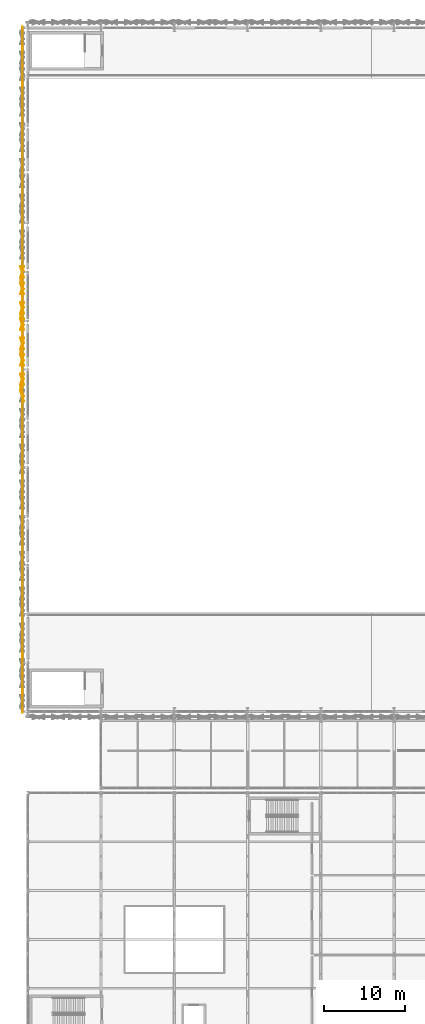
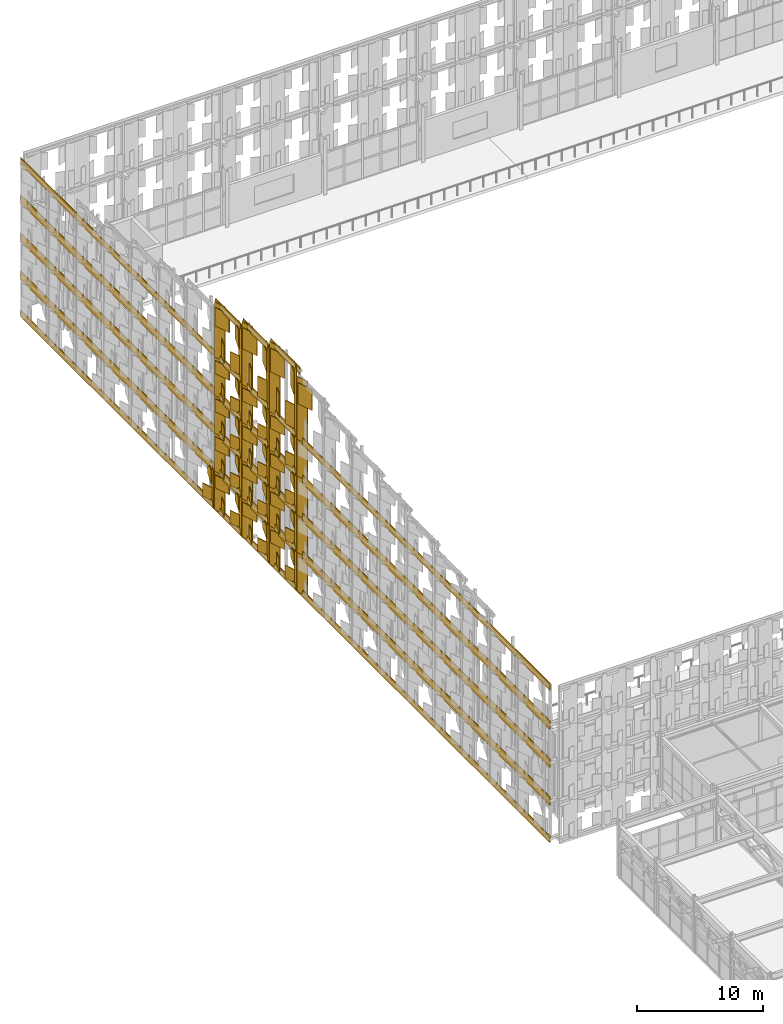
# One storey, part 192 of 210: 107 coverings.
"""IFC4 building model written with IfcOpenShell, lengths in metres."""

from ifc_helpers import new_model, si_unit, direction, frame, origin, origin_2d, place, context, subcontext, project, spatial, rectangle, extrude, material, layer, layer_set, type_object, element, save


model = new_model("IFC4")

# Units and contexts
model_context = context("Model", 3, precision=1e-05, world=origin(), true_north=direction((0.0, 1.0)))
body_context = subcontext(model_context, "Body", "Model", "MODEL_VIEW")
ifc_project = project(units=[si_unit("LENGTHUNIT", "METRE"), si_unit("AREAUNIT", "SQUARE_METRE"), si_unit("VOLUMEUNIT", "CUBIC_METRE"), si_unit("PLANEANGLEUNIT", "RADIAN"), si_unit("MASSUNIT", "GRAM", prefix="KILO")], contexts=[model_context])

# Site, building, storey
site_placement = place(None, origin())
site = spatial("IfcSite", under=ifc_project, at=site_placement, CompositionType="ELEMENT")
building_placement = place(site_placement, origin())
building = spatial("IfcBuilding", under=site, at=building_placement, Name="Kaldris Quays Convention Centre", CompositionType="ELEMENT")
storey_placement = place(building_placement, frame((0.0, 0.0, 6.0)))
storey = spatial("IfcBuildingStorey", under=building, at=storey_placement, Name="L01", CompositionType="ELEMENT", Elevation=6.0)

# Coverings
ifc_material = material(Name="Alabaster white star-pierced anodized aluminium panel", Category="aluminium")
ifc_layer = layer(ifc_material, 0.044921875)
ifc_layer_set = layer_set([ifc_layer], Name="Alabaster white star-pierced anodized aluminium panel")
covering_type = type_object("IfcCoveringType", Name="STAR PIERCED WHITE FOLDED SCREEN CL01", PredefinedType="CLADDING", material=ifc_layer_set)
covering_1_placement = place(storey_placement, frame((19.35009765625, 98.0, -2.48974609375), z_axis=(0.0, 0.0, 1.0), x_axis=(0.0, 1.0, 0.0)))
element("IfcCovering", 1, at=covering_1_placement, inside=storey, type_object=covering_type, Name="V1W White Screen Folded Band 1", PredefinedType="CLADDING", context=body_context, shape_type="SweptSolid", body=[
    extrude(rectangle(XDim=84.239990234375, YDim=0.054931640625, at=origin_2d()), origin(), (0.0, 0.0, 1.0), 0.679931640625),
])
for number, where, z_axis, x_axis, name in (
    (2, (19.35009765625, 98.0, 1.1298828125), (0.0, 0.0, 1.0), (0.0, 1.0, 0.0), "V1W White Screen Folded Band 2"),
    (3, (19.35009765625, 98.0, 4.830078125), (0.0, 0.0, 1.0), (0.0, 1.0, 0.0), "V1W White Screen Folded Band 3"),
    (4, (19.35009765625, 98.0, 8.52978515625), (0.0, 0.0, 1.0), (0.0, 1.0, 0.0), "V1W White Screen Folded Band 4"),
):
    element("IfcCovering", number, at=place(storey_placement, frame(where, z_axis=z_axis, x_axis=x_axis)), inside=storey, type_object=covering_type, Name=name, PredefinedType="CLADDING", context=body_context, shape_type="SweptSolid", body=[
        extrude(rectangle(XDim=84.239990234375, YDim=0.054931640625, at=origin_2d()), origin(), (0.0, 0.0, 1.0), 0.840087890625),
    ])
covering_2_placement = place(storey_placement, frame((19.35009765625, 98.0, 12.31005859375), z_axis=(0.0, 0.0, 1.0), x_axis=(0.0, 1.0, 0.0)))
element("IfcCovering", 5, at=covering_2_placement, inside=storey, type_object=covering_type, Name="V1W White Screen Folded Band 5", PredefinedType="CLADDING", context=body_context, shape_type="SweptSolid", body=[
    extrude(rectangle(XDim=84.239990234375, YDim=0.054931640625, at=origin_2d()), origin(), (0.0, 0.0, 1.0), 0.679931640625),
])
for number, where, z_axis, x_axis, name in (
    (6, (19.340087890625, 95.234619140625, -2.2099609375), (0.0, 0.0, 1.0), (-0.325568154457, 0.945518575599, 0.0), "V1W Folded White Screen Stile 242"),
    (7, (19.340087890625, 95.234619140625, 1.48974609375), (0.0, 0.0, 1.0), (-0.325568154457, 0.945518575599, 0.0), "V1W Folded White Screen Stile 248"),
    (8, (19.340087890625, 95.234619140625, 5.18994140625), (0.0, 0.0, 1.0), (-0.325568154457, 0.945518575599, 0.0), "V1W Folded White Screen Stile 254"),
    (9, (19.340087890625, 95.234619140625, 8.89013671875), (0.0, 0.0, 1.0), (-0.325568154457, 0.945518575599, 0.0), "V1W Folded White Screen Stile 260"),
):
    element("IfcCovering", number, at=place(storey_placement, frame(where, z_axis=z_axis, x_axis=x_axis)), inside=storey, type_object=covering_type, Name=name, PredefinedType="CLADDING", context=body_context, shape_type="SweptSolid", body=[
        extrude(rectangle(XDim=1.114013671875, YDim=0.054931640625, at=origin_2d()), origin(), (0.0, 0.0, 1.0), 3.820068359375),
    ])
covering_3_placement = place(storey_placement, frame((19.340087890625, 95.234619140625, 12.58984375), z_axis=(0.0, 0.0, 1.0), x_axis=(-0.325568154457, 0.945518575599, 0.0)))
element("IfcCovering", 10, at=covering_3_placement, inside=storey, type_object=covering_type, Name="V1W Folded White Screen Stile 266", PredefinedType="CLADDING", context=body_context, shape_type="SweptSolid", body=[
    extrude(rectangle(XDim=1.114013671875, YDim=0.054931640625, at=origin_2d()), origin(), (0.0, 0.0, 1.0), 6.095947265625),
])
covering_4_placement = place(storey_placement, frame((19.320068359375, 94.795654296875, 16.2353515625), z_axis=(0.0, 0.0, 1.0), x_axis=(-0.325568154457, 0.945518575599, 0.0)))
element("IfcCovering", 11, at=covering_4_placement, inside=storey, type_object=covering_type, Name="V1W Carved Star Corner Facet 270", PredefinedType="CLADDING", context=body_context, shape_type="SweptSolid", body=[
    extrude(rectangle(XDim=1.491943359375, YDim=0.06494140625, at=origin_2d()), origin(), (0.0, 0.0, 1.0), 2.031982421875),
])
covering_5_placement = place(storey_placement, frame((19.35009765625, 98.0, 18.8671875), z_axis=(0.0, 0.0, 1.0), x_axis=(0.0, 1.0, 0.0)))
element("IfcCovering", 12, at=covering_5_placement, inside=storey, type_object=covering_type, Name="V1W Gable White Screen Cap Band 271", PredefinedType="CLADDING", context=body_context, shape_type="SweptSolid", body=[
    extrude(rectangle(XDim=4.68896484375, YDim=0.054931640625, at=origin_2d()), origin(), (0.0, 0.0, 1.0), 0.679931640625),
])
for number, where, z_axis, x_axis, name in (
    (13, (19.340087890625, 96.3759765625, -2.2099609375), (0.0, 0.0, 1.0), (0.325568154457, 0.945518575599, 0.0), "V1W Folded White Screen Stile 272"),
    (14, (19.340087890625, 99.6240234375, -2.2099609375), (0.0, 0.0, 1.0), (-0.325568154457, 0.945518575599, 0.0), "V1W Folded White Screen Stile 273"),
):
    element("IfcCovering", number, at=place(storey_placement, frame(where, z_axis=z_axis, x_axis=x_axis)), inside=storey, type_object=covering_type, Name=name, PredefinedType="CLADDING", context=body_context, shape_type="SweptSolid", body=[
        extrude(rectangle(XDim=1.114013671875, YDim=0.054931640625, at=origin_2d()), origin(), (0.0, 0.0, 1.0), 3.820068359375),
    ])
for number, where, z_axis, x_axis, name in (
    (15, (19.320068359375, 96.814697265625, -1.92822265625), (0.0, 0.0, 1.0), (-0.325568154457, 0.945518575599, 0.0), "V1W Carved Star Corner Facet 274"),
    (16, (19.320068359375, 96.814697265625, 0.06982421875), (0.0, 0.0, 1.0), (0.325568154457, 0.945518575599, 0.0), "V1W Carved Star Corner Facet 275"),
    (17, (19.320068359375, 99.185302734375, -1.92822265625), (0.0, 0.0, 1.0), (0.325568154457, 0.945518575599, 0.0), "V1W Carved Star Corner Facet 276"),
    (18, (19.320068359375, 99.185302734375, 0.06982421875), (0.0, 0.0, 1.0), (-0.325568154457, 0.945518575599, 0.0), "V1W Carved Star Corner Facet 277"),
):
    element("IfcCovering", number, at=place(storey_placement, frame(where, z_axis=z_axis, x_axis=x_axis)), inside=storey, type_object=covering_type, Name=name, PredefinedType="CLADDING", context=body_context, shape_type="SweptSolid", body=[
        extrude(rectangle(XDim=1.491943359375, YDim=0.06494140625, at=origin_2d()), origin(), (0.0, 0.0, 1.0), 1.258056640625),
    ])
for number, where, z_axis, x_axis, name in (
    (19, (19.340087890625, 96.3759765625, 1.48974609375), (0.0, 0.0, 1.0), (0.325568154457, 0.945518575599, 0.0), "V1W Folded White Screen Stile 278"),
    (20, (19.340087890625, 99.6240234375, 1.48974609375), (0.0, 0.0, 1.0), (-0.325568154457, 0.945518575599, 0.0), "V1W Folded White Screen Stile 279"),
):
    element("IfcCovering", number, at=place(storey_placement, frame(where, z_axis=z_axis, x_axis=x_axis)), inside=storey, type_object=covering_type, Name=name, PredefinedType="CLADDING", context=body_context, shape_type="SweptSolid", body=[
        extrude(rectangle(XDim=1.114013671875, YDim=0.054931640625, at=origin_2d()), origin(), (0.0, 0.0, 1.0), 3.820068359375),
    ])
for number, where, z_axis, x_axis, name in (
    (21, (19.320068359375, 96.814697265625, 1.77197265625), (0.0, 0.0, 1.0), (-0.325568154457, 0.945518575599, 0.0), "V1W Carved Star Corner Facet 280"),
    (22, (19.320068359375, 96.814697265625, 3.77001953125), (0.0, 0.0, 1.0), (0.325568154457, 0.945518575599, 0.0), "V1W Carved Star Corner Facet 281"),
    (23, (19.320068359375, 99.185302734375, 1.77197265625), (0.0, 0.0, 1.0), (0.325568154457, 0.945518575599, 0.0), "V1W Carved Star Corner Facet 282"),
    (24, (19.320068359375, 99.185302734375, 3.77001953125), (0.0, 0.0, 1.0), (-0.325568154457, 0.945518575599, 0.0), "V1W Carved Star Corner Facet 283"),
):
    element("IfcCovering", number, at=place(storey_placement, frame(where, z_axis=z_axis, x_axis=x_axis)), inside=storey, type_object=covering_type, Name=name, PredefinedType="CLADDING", context=body_context, shape_type="SweptSolid", body=[
        extrude(rectangle(XDim=1.491943359375, YDim=0.06494140625, at=origin_2d()), origin(), (0.0, 0.0, 1.0), 1.258056640625),
    ])
for number, where, z_axis, x_axis, name in (
    (25, (19.340087890625, 96.3759765625, 5.18994140625), (0.0, 0.0, 1.0), (0.325568154457, 0.945518575599, 0.0), "V1W Folded White Screen Stile 284"),
    (26, (19.340087890625, 99.6240234375, 5.18994140625), (0.0, 0.0, 1.0), (-0.325568154457, 0.945518575599, 0.0), "V1W Folded White Screen Stile 285"),
):
    element("IfcCovering", number, at=place(storey_placement, frame(where, z_axis=z_axis, x_axis=x_axis)), inside=storey, type_object=covering_type, Name=name, PredefinedType="CLADDING", context=body_context, shape_type="SweptSolid", body=[
        extrude(rectangle(XDim=1.114013671875, YDim=0.054931640625, at=origin_2d()), origin(), (0.0, 0.0, 1.0), 3.820068359375),
    ])
for number, where, z_axis, x_axis, name in (
    (27, (19.320068359375, 96.814697265625, 5.47216796875), (0.0, 0.0, 1.0), (-0.325568154457, 0.945518575599, 0.0), "V1W Carved Star Corner Facet 286"),
    (28, (19.320068359375, 96.814697265625, 7.47021484375), (0.0, 0.0, 1.0), (0.325568154457, 0.945518575599, 0.0), "V1W Carved Star Corner Facet 287"),
    (29, (19.320068359375, 99.185302734375, 5.47216796875), (0.0, 0.0, 1.0), (0.325568154457, 0.945518575599, 0.0), "V1W Carved Star Corner Facet 288"),
    (30, (19.320068359375, 99.185302734375, 7.47021484375), (0.0, 0.0, 1.0), (-0.325568154457, 0.945518575599, 0.0), "V1W Carved Star Corner Facet 289"),
):
    element("IfcCovering", number, at=place(storey_placement, frame(where, z_axis=z_axis, x_axis=x_axis)), inside=storey, type_object=covering_type, Name=name, PredefinedType="CLADDING", context=body_context, shape_type="SweptSolid", body=[
        extrude(rectangle(XDim=1.491943359375, YDim=0.06494140625, at=origin_2d()), origin(), (0.0, 0.0, 1.0), 1.258056640625),
    ])
for number, where, z_axis, x_axis, name in (
    (31, (19.340087890625, 96.3759765625, 8.89013671875), (0.0, 0.0, 1.0), (0.325568154457, 0.945518575599, 0.0), "V1W Folded White Screen Stile 290"),
    (32, (19.340087890625, 99.6240234375, 8.89013671875), (0.0, 0.0, 1.0), (-0.325568154457, 0.945518575599, 0.0), "V1W Folded White Screen Stile 291"),
):
    element("IfcCovering", number, at=place(storey_placement, frame(where, z_axis=z_axis, x_axis=x_axis)), inside=storey, type_object=covering_type, Name=name, PredefinedType="CLADDING", context=body_context, shape_type="SweptSolid", body=[
        extrude(rectangle(XDim=1.114013671875, YDim=0.054931640625, at=origin_2d()), origin(), (0.0, 0.0, 1.0), 3.820068359375),
    ])
for number, where, z_axis, x_axis, name in (
    (33, (19.320068359375, 96.814697265625, 9.171875), (0.0, 0.0, 1.0), (-0.325568154457, 0.945518575599, 0.0), "V1W Carved Star Corner Facet 292"),
    (34, (19.320068359375, 96.814697265625, 11.169921875), (0.0, 0.0, 1.0), (0.325568154457, 0.945518575599, 0.0), "V1W Carved Star Corner Facet 293"),
    (35, (19.320068359375, 99.185302734375, 9.171875), (0.0, 0.0, 1.0), (0.325568154457, 0.945518575599, 0.0), "V1W Carved Star Corner Facet 294"),
    (36, (19.320068359375, 99.185302734375, 11.169921875), (0.0, 0.0, 1.0), (-0.325568154457, 0.945518575599, 0.0), "V1W Carved Star Corner Facet 295"),
):
    element("IfcCovering", number, at=place(storey_placement, frame(where, z_axis=z_axis, x_axis=x_axis)), inside=storey, type_object=covering_type, Name=name, PredefinedType="CLADDING", context=body_context, shape_type="SweptSolid", body=[
        extrude(rectangle(XDim=1.491943359375, YDim=0.06494140625, at=origin_2d()), origin(), (0.0, 0.0, 1.0), 1.258056640625),
    ])
for number, where, z_axis, x_axis, name in (
    (37, (19.340087890625, 96.3759765625, 12.58984375), (0.0, 0.0, 1.0), (0.325568154457, 0.945518575599, 0.0), "V1W Folded White Screen Stile 296"),
    (38, (19.340087890625, 99.6240234375, 12.58984375), (0.0, 0.0, 1.0), (-0.325568154457, 0.945518575599, 0.0), "V1W Folded White Screen Stile 297"),
):
    element("IfcCovering", number, at=place(storey_placement, frame(where, z_axis=z_axis, x_axis=x_axis)), inside=storey, type_object=covering_type, Name=name, PredefinedType="CLADDING", context=body_context, shape_type="SweptSolid", body=[
        extrude(rectangle(XDim=1.114013671875, YDim=0.054931640625, at=origin_2d()), origin(), (0.0, 0.0, 1.0), 6.826904296875),
    ])
for number, where, z_axis, x_axis, name in (
    (39, (19.320068359375, 96.814697265625, 13.052734375), (0.0, 0.0, 1.0), (-0.325568154457, 0.945518575599, 0.0), "V1W Carved Star Corner Facet 298"),
    (40, (19.320068359375, 96.814697265625, 16.67431640625), (0.0, 0.0, 1.0), (0.325568154457, 0.945518575599, 0.0), "V1W Carved Star Corner Facet 299"),
    (41, (19.320068359375, 99.185302734375, 13.052734375), (0.0, 0.0, 1.0), (0.325568154457, 0.945518575599, 0.0), "V1W Carved Star Corner Facet 300"),
    (42, (19.320068359375, 99.185302734375, 16.67431640625), (0.0, 0.0, 1.0), (-0.325568154457, 0.945518575599, 0.0), "V1W Carved Star Corner Facet 301"),
):
    element("IfcCovering", number, at=place(storey_placement, frame(where, z_axis=z_axis, x_axis=x_axis)), inside=storey, type_object=covering_type, Name=name, PredefinedType="CLADDING", context=body_context, shape_type="SweptSolid", body=[
        extrude(rectangle(XDim=1.491943359375, YDim=0.06494140625, at=origin_2d()), origin(), (0.0, 0.0, 1.0), 2.280029296875),
    ])
covering_6_placement = place(storey_placement, frame((19.35009765625, 102.389404296875, 18.13623046875), z_axis=(0.0, 0.0, 1.0), x_axis=(0.0, 1.0, 0.0)))
element("IfcCovering", 43, at=covering_6_placement, inside=storey, type_object=covering_type, Name="V1W Gable White Screen Cap Band 302", PredefinedType="CLADDING", context=body_context, shape_type="SweptSolid", body=[
    extrude(rectangle(XDim=4.68896484375, YDim=0.054931640625, at=origin_2d()), origin(), (0.0, 0.0, 1.0), 0.679931640625),
])
for number, where, z_axis, x_axis, name in (
    (44, (19.340087890625, 100.765380859375, -2.2099609375), (0.0, 0.0, 1.0), (0.325568154457, 0.945518575599, 0.0), "V1W Folded White Screen Stile 303"),
    (45, (19.340087890625, 104.013671875, -2.2099609375), (0.0, 0.0, 1.0), (-0.325568154457, 0.945518575599, 0.0), "V1W Folded White Screen Stile 304"),
):
    element("IfcCovering", number, at=place(storey_placement, frame(where, z_axis=z_axis, x_axis=x_axis)), inside=storey, type_object=covering_type, Name=name, PredefinedType="CLADDING", context=body_context, shape_type="SweptSolid", body=[
        extrude(rectangle(XDim=1.114013671875, YDim=0.054931640625, at=origin_2d()), origin(), (0.0, 0.0, 1.0), 3.820068359375),
    ])
for number, where, z_axis, x_axis, name in (
    (46, (19.320068359375, 101.204345703125, -1.92822265625), (0.0, 0.0, 1.0), (-0.325568154457, 0.945518575599, 0.0), "V1W Carved Star Corner Facet 305"),
    (47, (19.320068359375, 101.204345703125, 0.06982421875), (0.0, 0.0, 1.0), (0.325568154457, 0.945518575599, 0.0), "V1W Carved Star Corner Facet 306"),
    (48, (19.320068359375, 103.57470703125, -1.92822265625), (0.0, 0.0, 1.0), (0.325568154457, 0.945518575599, 0.0), "V1W Carved Star Corner Facet 307"),
    (49, (19.320068359375, 103.57470703125, 0.06982421875), (0.0, 0.0, 1.0), (-0.325568154457, 0.945518575599, 0.0), "V1W Carved Star Corner Facet 308"),
):
    element("IfcCovering", number, at=place(storey_placement, frame(where, z_axis=z_axis, x_axis=x_axis)), inside=storey, type_object=covering_type, Name=name, PredefinedType="CLADDING", context=body_context, shape_type="SweptSolid", body=[
        extrude(rectangle(XDim=1.491943359375, YDim=0.06494140625, at=origin_2d()), origin(), (0.0, 0.0, 1.0), 1.258056640625),
    ])
for number, where, z_axis, x_axis, name in (
    (50, (19.340087890625, 100.765380859375, 1.48974609375), (0.0, 0.0, 1.0), (0.325568154457, 0.945518575599, 0.0), "V1W Folded White Screen Stile 309"),
    (51, (19.340087890625, 104.013671875, 1.48974609375), (0.0, 0.0, 1.0), (-0.325568154457, 0.945518575599, 0.0), "V1W Folded White Screen Stile 310"),
):
    element("IfcCovering", number, at=place(storey_placement, frame(where, z_axis=z_axis, x_axis=x_axis)), inside=storey, type_object=covering_type, Name=name, PredefinedType="CLADDING", context=body_context, shape_type="SweptSolid", body=[
        extrude(rectangle(XDim=1.114013671875, YDim=0.054931640625, at=origin_2d()), origin(), (0.0, 0.0, 1.0), 3.820068359375),
    ])
for number, where, z_axis, x_axis, name in (
    (52, (19.320068359375, 101.204345703125, 1.77197265625), (0.0, 0.0, 1.0), (-0.325568154457, 0.945518575599, 0.0), "V1W Carved Star Corner Facet 311"),
    (53, (19.320068359375, 101.204345703125, 3.77001953125), (0.0, 0.0, 1.0), (0.325568154457, 0.945518575599, 0.0), "V1W Carved Star Corner Facet 312"),
    (54, (19.320068359375, 103.57470703125, 1.77197265625), (0.0, 0.0, 1.0), (0.325568154457, 0.945518575599, 0.0), "V1W Carved Star Corner Facet 313"),
    (55, (19.320068359375, 103.57470703125, 3.77001953125), (0.0, 0.0, 1.0), (-0.325568154457, 0.945518575599, 0.0), "V1W Carved Star Corner Facet 314"),
):
    element("IfcCovering", number, at=place(storey_placement, frame(where, z_axis=z_axis, x_axis=x_axis)), inside=storey, type_object=covering_type, Name=name, PredefinedType="CLADDING", context=body_context, shape_type="SweptSolid", body=[
        extrude(rectangle(XDim=1.491943359375, YDim=0.06494140625, at=origin_2d()), origin(), (0.0, 0.0, 1.0), 1.258056640625),
    ])
for number, where, z_axis, x_axis, name in (
    (56, (19.340087890625, 100.765380859375, 5.18994140625), (0.0, 0.0, 1.0), (0.325568154457, 0.945518575599, 0.0), "V1W Folded White Screen Stile 315"),
    (57, (19.340087890625, 104.013671875, 5.18994140625), (0.0, 0.0, 1.0), (-0.325568154457, 0.945518575599, 0.0), "V1W Folded White Screen Stile 316"),
):
    element("IfcCovering", number, at=place(storey_placement, frame(where, z_axis=z_axis, x_axis=x_axis)), inside=storey, type_object=covering_type, Name=name, PredefinedType="CLADDING", context=body_context, shape_type="SweptSolid", body=[
        extrude(rectangle(XDim=1.114013671875, YDim=0.054931640625, at=origin_2d()), origin(), (0.0, 0.0, 1.0), 3.820068359375),
    ])
for number, where, z_axis, x_axis, name in (
    (58, (19.320068359375, 101.204345703125, 5.47216796875), (0.0, 0.0, 1.0), (-0.325568154457, 0.945518575599, 0.0), "V1W Carved Star Corner Facet 317"),
    (59, (19.320068359375, 101.204345703125, 7.47021484375), (0.0, 0.0, 1.0), (0.325568154457, 0.945518575599, 0.0), "V1W Carved Star Corner Facet 318"),
    (60, (19.320068359375, 103.57470703125, 5.47216796875), (0.0, 0.0, 1.0), (0.325568154457, 0.945518575599, 0.0), "V1W Carved Star Corner Facet 319"),
    (61, (19.320068359375, 103.57470703125, 7.47021484375), (0.0, 0.0, 1.0), (-0.325568154457, 0.945518575599, 0.0), "V1W Carved Star Corner Facet 320"),
):
    element("IfcCovering", number, at=place(storey_placement, frame(where, z_axis=z_axis, x_axis=x_axis)), inside=storey, type_object=covering_type, Name=name, PredefinedType="CLADDING", context=body_context, shape_type="SweptSolid", body=[
        extrude(rectangle(XDim=1.491943359375, YDim=0.06494140625, at=origin_2d()), origin(), (0.0, 0.0, 1.0), 1.258056640625),
    ])
for number, where, z_axis, x_axis, name in (
    (62, (19.340087890625, 100.765380859375, 8.89013671875), (0.0, 0.0, 1.0), (0.325568154457, 0.945518575599, 0.0), "V1W Folded White Screen Stile 321"),
    (63, (19.340087890625, 104.013671875, 8.89013671875), (0.0, 0.0, 1.0), (-0.325568154457, 0.945518575599, 0.0), "V1W Folded White Screen Stile 322"),
):
    element("IfcCovering", number, at=place(storey_placement, frame(where, z_axis=z_axis, x_axis=x_axis)), inside=storey, type_object=covering_type, Name=name, PredefinedType="CLADDING", context=body_context, shape_type="SweptSolid", body=[
        extrude(rectangle(XDim=1.114013671875, YDim=0.054931640625, at=origin_2d()), origin(), (0.0, 0.0, 1.0), 3.820068359375),
    ])
for number, where, z_axis, x_axis, name in (
    (64, (19.320068359375, 101.204345703125, 9.171875), (0.0, 0.0, 1.0), (-0.325568154457, 0.945518575599, 0.0), "V1W Carved Star Corner Facet 323"),
    (65, (19.320068359375, 101.204345703125, 11.169921875), (0.0, 0.0, 1.0), (0.325568154457, 0.945518575599, 0.0), "V1W Carved Star Corner Facet 324"),
    (66, (19.320068359375, 103.57470703125, 9.171875), (0.0, 0.0, 1.0), (0.325568154457, 0.945518575599, 0.0), "V1W Carved Star Corner Facet 325"),
    (67, (19.320068359375, 103.57470703125, 11.169921875), (0.0, 0.0, 1.0), (-0.325568154457, 0.945518575599, 0.0), "V1W Carved Star Corner Facet 326"),
):
    element("IfcCovering", number, at=place(storey_placement, frame(where, z_axis=z_axis, x_axis=x_axis)), inside=storey, type_object=covering_type, Name=name, PredefinedType="CLADDING", context=body_context, shape_type="SweptSolid", body=[
        extrude(rectangle(XDim=1.491943359375, YDim=0.06494140625, at=origin_2d()), origin(), (0.0, 0.0, 1.0), 1.258056640625),
    ])
for number, where, z_axis, x_axis, name in (
    (68, (19.340087890625, 100.765380859375, 12.58984375), (0.0, 0.0, 1.0), (0.325568154457, 0.945518575599, 0.0), "V1W Folded White Screen Stile 327"),
    (69, (19.340087890625, 104.013671875, 12.58984375), (0.0, 0.0, 1.0), (-0.325568154457, 0.945518575599, 0.0), "V1W Folded White Screen Stile 328"),
):
    element("IfcCovering", number, at=place(storey_placement, frame(where, z_axis=z_axis, x_axis=x_axis)), inside=storey, type_object=covering_type, Name=name, PredefinedType="CLADDING", context=body_context, shape_type="SweptSolid", body=[
        extrude(rectangle(XDim=1.114013671875, YDim=0.054931640625, at=origin_2d()), origin(), (0.0, 0.0, 1.0), 6.095947265625),
    ])
for number, where, z_axis, x_axis, name in (
    (70, (19.320068359375, 101.204345703125, 13.00830078125), (0.0, 0.0, 1.0), (-0.325568154457, 0.945518575599, 0.0), "V1W Carved Star Corner Facet 329"),
    (71, (19.320068359375, 101.204345703125, 16.2353515625), (0.0, 0.0, 1.0), (0.325568154457, 0.945518575599, 0.0), "V1W Carved Star Corner Facet 330"),
    (72, (19.320068359375, 103.57470703125, 13.00830078125), (0.0, 0.0, 1.0), (0.325568154457, 0.945518575599, 0.0), "V1W Carved Star Corner Facet 331"),
    (73, (19.320068359375, 103.57470703125, 16.2353515625), (0.0, 0.0, 1.0), (-0.325568154457, 0.945518575599, 0.0), "V1W Carved Star Corner Facet 332"),
):
    element("IfcCovering", number, at=place(storey_placement, frame(where, z_axis=z_axis, x_axis=x_axis)), inside=storey, type_object=covering_type, Name=name, PredefinedType="CLADDING", context=body_context, shape_type="SweptSolid", body=[
        extrude(rectangle(XDim=1.491943359375, YDim=0.06494140625, at=origin_2d()), origin(), (0.0, 0.0, 1.0), 2.031982421875),
    ])
covering_7_placement = place(storey_placement, frame((19.35009765625, 106.77880859375, 17.40380859375), z_axis=(0.0, 0.0, 1.0), x_axis=(0.0, 1.0, 0.0)))
element("IfcCovering", 74, at=covering_7_placement, inside=storey, type_object=covering_type, Name="V1W Gable White Screen Cap Band 333", PredefinedType="CLADDING", context=body_context, shape_type="SweptSolid", body=[
    extrude(rectangle(XDim=4.68896484375, YDim=0.054931640625, at=origin_2d()), origin(), (0.0, 0.0, 1.0), 0.679931640625),
])
for number, where, z_axis, x_axis, name in (
    (75, (19.340087890625, 105.15478515625, -2.2099609375), (0.0, 0.0, 1.0), (0.325568154457, 0.945518575599, 0.0), "V1W Folded White Screen Stile 334"),
    (76, (19.340087890625, 108.403076171875, -2.2099609375), (0.0, 0.0, 1.0), (-0.325568154457, 0.945518575599, 0.0), "V1W Folded White Screen Stile 335"),
):
    element("IfcCovering", number, at=place(storey_placement, frame(where, z_axis=z_axis, x_axis=x_axis)), inside=storey, type_object=covering_type, Name=name, PredefinedType="CLADDING", context=body_context, shape_type="SweptSolid", body=[
        extrude(rectangle(XDim=1.114013671875, YDim=0.054931640625, at=origin_2d()), origin(), (0.0, 0.0, 1.0), 3.820068359375),
    ])
for number, where, z_axis, x_axis, name in (
    (77, (19.320068359375, 105.59375, -1.92822265625), (0.0, 0.0, 1.0), (-0.325568154457, 0.945518575599, 0.0), "V1W Carved Star Corner Facet 336"),
    (78, (19.320068359375, 105.59375, 0.06982421875), (0.0, 0.0, 1.0), (0.325568154457, 0.945518575599, 0.0), "V1W Carved Star Corner Facet 337"),
    (79, (19.320068359375, 107.964111328125, -1.92822265625), (0.0, 0.0, 1.0), (0.325568154457, 0.945518575599, 0.0), "V1W Carved Star Corner Facet 338"),
    (80, (19.320068359375, 107.964111328125, 0.06982421875), (0.0, 0.0, 1.0), (-0.325568154457, 0.945518575599, 0.0), "V1W Carved Star Corner Facet 339"),
):
    element("IfcCovering", number, at=place(storey_placement, frame(where, z_axis=z_axis, x_axis=x_axis)), inside=storey, type_object=covering_type, Name=name, PredefinedType="CLADDING", context=body_context, shape_type="SweptSolid", body=[
        extrude(rectangle(XDim=1.491943359375, YDim=0.06494140625, at=origin_2d()), origin(), (0.0, 0.0, 1.0), 1.258056640625),
    ])
for number, where, z_axis, x_axis, name in (
    (81, (19.340087890625, 105.15478515625, 1.48974609375), (0.0, 0.0, 1.0), (0.325568154457, 0.945518575599, 0.0), "V1W Folded White Screen Stile 340"),
    (82, (19.340087890625, 108.403076171875, 1.48974609375), (0.0, 0.0, 1.0), (-0.325568154457, 0.945518575599, 0.0), "V1W Folded White Screen Stile 341"),
):
    element("IfcCovering", number, at=place(storey_placement, frame(where, z_axis=z_axis, x_axis=x_axis)), inside=storey, type_object=covering_type, Name=name, PredefinedType="CLADDING", context=body_context, shape_type="SweptSolid", body=[
        extrude(rectangle(XDim=1.114013671875, YDim=0.054931640625, at=origin_2d()), origin(), (0.0, 0.0, 1.0), 3.820068359375),
    ])
for number, where, z_axis, x_axis, name in (
    (83, (19.320068359375, 105.59375, 1.77197265625), (0.0, 0.0, 1.0), (-0.325568154457, 0.945518575599, 0.0), "V1W Carved Star Corner Facet 342"),
    (84, (19.320068359375, 105.59375, 3.77001953125), (0.0, 0.0, 1.0), (0.325568154457, 0.945518575599, 0.0), "V1W Carved Star Corner Facet 343"),
    (85, (19.320068359375, 107.964111328125, 1.77197265625), (0.0, 0.0, 1.0), (0.325568154457, 0.945518575599, 0.0), "V1W Carved Star Corner Facet 344"),
    (86, (19.320068359375, 107.964111328125, 3.77001953125), (0.0, 0.0, 1.0), (-0.325568154457, 0.945518575599, 0.0), "V1W Carved Star Corner Facet 345"),
):
    element("IfcCovering", number, at=place(storey_placement, frame(where, z_axis=z_axis, x_axis=x_axis)), inside=storey, type_object=covering_type, Name=name, PredefinedType="CLADDING", context=body_context, shape_type="SweptSolid", body=[
        extrude(rectangle(XDim=1.491943359375, YDim=0.06494140625, at=origin_2d()), origin(), (0.0, 0.0, 1.0), 1.258056640625),
    ])
for number, where, z_axis, x_axis, name in (
    (87, (19.340087890625, 105.15478515625, 5.18994140625), (0.0, 0.0, 1.0), (0.325568154457, 0.945518575599, 0.0), "V1W Folded White Screen Stile 346"),
    (88, (19.340087890625, 108.403076171875, 5.18994140625), (0.0, 0.0, 1.0), (-0.325568154457, 0.945518575599, 0.0), "V1W Folded White Screen Stile 347"),
):
    element("IfcCovering", number, at=place(storey_placement, frame(where, z_axis=z_axis, x_axis=x_axis)), inside=storey, type_object=covering_type, Name=name, PredefinedType="CLADDING", context=body_context, shape_type="SweptSolid", body=[
        extrude(rectangle(XDim=1.114013671875, YDim=0.054931640625, at=origin_2d()), origin(), (0.0, 0.0, 1.0), 3.820068359375),
    ])
for number, where, z_axis, x_axis, name in (
    (89, (19.320068359375, 105.59375, 5.47216796875), (0.0, 0.0, 1.0), (-0.325568154457, 0.945518575599, 0.0), "V1W Carved Star Corner Facet 348"),
    (90, (19.320068359375, 105.59375, 7.47021484375), (0.0, 0.0, 1.0), (0.325568154457, 0.945518575599, 0.0), "V1W Carved Star Corner Facet 349"),
    (91, (19.320068359375, 107.964111328125, 5.47216796875), (0.0, 0.0, 1.0), (0.325568154457, 0.945518575599, 0.0), "V1W Carved Star Corner Facet 350"),
    (92, (19.320068359375, 107.964111328125, 7.47021484375), (0.0, 0.0, 1.0), (-0.325568154457, 0.945518575599, 0.0), "V1W Carved Star Corner Facet 351"),
):
    element("IfcCovering", number, at=place(storey_placement, frame(where, z_axis=z_axis, x_axis=x_axis)), inside=storey, type_object=covering_type, Name=name, PredefinedType="CLADDING", context=body_context, shape_type="SweptSolid", body=[
        extrude(rectangle(XDim=1.491943359375, YDim=0.06494140625, at=origin_2d()), origin(), (0.0, 0.0, 1.0), 1.258056640625),
    ])
for number, where, z_axis, x_axis, name in (
    (93, (19.340087890625, 105.15478515625, 8.89013671875), (0.0, 0.0, 1.0), (0.325568154457, 0.945518575599, 0.0), "V1W Folded White Screen Stile 352"),
    (94, (19.340087890625, 108.403076171875, 8.89013671875), (0.0, 0.0, 1.0), (-0.325568154457, 0.945518575599, 0.0), "V1W Folded White Screen Stile 353"),
):
    element("IfcCovering", number, at=place(storey_placement, frame(where, z_axis=z_axis, x_axis=x_axis)), inside=storey, type_object=covering_type, Name=name, PredefinedType="CLADDING", context=body_context, shape_type="SweptSolid", body=[
        extrude(rectangle(XDim=1.114013671875, YDim=0.054931640625, at=origin_2d()), origin(), (0.0, 0.0, 1.0), 3.820068359375),
    ])
for number, where, z_axis, x_axis, name in (
    (95, (19.320068359375, 105.59375, 9.171875), (0.0, 0.0, 1.0), (-0.325568154457, 0.945518575599, 0.0), "V1W Carved Star Corner Facet 354"),
    (96, (19.320068359375, 105.59375, 11.169921875), (0.0, 0.0, 1.0), (0.325568154457, 0.945518575599, 0.0), "V1W Carved Star Corner Facet 355"),
    (97, (19.320068359375, 107.964111328125, 9.171875), (0.0, 0.0, 1.0), (0.325568154457, 0.945518575599, 0.0), "V1W Carved Star Corner Facet 356"),
    (98, (19.320068359375, 107.964111328125, 11.169921875), (0.0, 0.0, 1.0), (-0.325568154457, 0.945518575599, 0.0), "V1W Carved Star Corner Facet 357"),
):
    element("IfcCovering", number, at=place(storey_placement, frame(where, z_axis=z_axis, x_axis=x_axis)), inside=storey, type_object=covering_type, Name=name, PredefinedType="CLADDING", context=body_context, shape_type="SweptSolid", body=[
        extrude(rectangle(XDim=1.491943359375, YDim=0.06494140625, at=origin_2d()), origin(), (0.0, 0.0, 1.0), 1.258056640625),
    ])
for number, where, z_axis, x_axis, name in (
    (99, (19.340087890625, 105.15478515625, 12.58984375), (0.0, 0.0, 1.0), (0.325568154457, 0.945518575599, 0.0), "V1W Folded White Screen Stile 358"),
    (100, (19.340087890625, 108.403076171875, 12.58984375), (0.0, 0.0, 1.0), (-0.325568154457, 0.945518575599, 0.0), "V1W Folded White Screen Stile 359"),
):
    element("IfcCovering", number, at=place(storey_placement, frame(where, z_axis=z_axis, x_axis=x_axis)), inside=storey, type_object=covering_type, Name=name, PredefinedType="CLADDING", context=body_context, shape_type="SweptSolid", body=[
        extrude(rectangle(XDim=1.114013671875, YDim=0.054931640625, at=origin_2d()), origin(), (0.0, 0.0, 1.0), 5.364013671875),
    ])
for number, where, z_axis, x_axis, name in (
    (101, (19.320068359375, 105.59375, 12.96484375), (0.0, 0.0, 1.0), (-0.325568154457, 0.945518575599, 0.0), "V1W Carved Star Corner Facet 360"),
    (102, (19.320068359375, 105.59375, 15.79638671875), (0.0, 0.0, 1.0), (0.325568154457, 0.945518575599, 0.0), "V1W Carved Star Corner Facet 361"),
    (103, (19.320068359375, 107.964111328125, 12.96484375), (0.0, 0.0, 1.0), (0.325568154457, 0.945518575599, 0.0), "V1W Carved Star Corner Facet 362"),
    (104, (19.320068359375, 107.964111328125, 15.79638671875), (0.0, 0.0, 1.0), (-0.325568154457, 0.945518575599, 0.0), "V1W Carved Star Corner Facet 363"),
):
    element("IfcCovering", number, at=place(storey_placement, frame(where, z_axis=z_axis, x_axis=x_axis)), inside=storey, type_object=covering_type, Name=name, PredefinedType="CLADDING", context=body_context, shape_type="SweptSolid", body=[
        extrude(rectangle(XDim=1.491943359375, YDim=0.06494140625, at=origin_2d()), origin(), (0.0, 0.0, 1.0), 1.782958984375),
    ])
covering_8_placement = place(storey_placement, frame((19.340087890625, 109.544189453125, -2.2099609375), z_axis=(0.0, 0.0, 1.0), x_axis=(0.325568154457, 0.945518575599, 0.0)))
element("IfcCovering", 105, at=covering_8_placement, inside=storey, type_object=covering_type, Name="V1W Folded White Screen Stile 365", PredefinedType="CLADDING", context=body_context, shape_type="SweptSolid", body=[
    extrude(rectangle(XDim=1.114013671875, YDim=0.054931640625, at=origin_2d()), origin(), (0.0, 0.0, 1.0), 3.820068359375),
])
for number, where, z_axis, x_axis, name in (
    (106, (19.320068359375, 109.9833984375, -1.92822265625), (0.0, 0.0, 1.0), (-0.325568154457, 0.945518575599, 0.0), "V1W Carved Star Corner Facet 367"),
    (107, (19.320068359375, 109.9833984375, 0.06982421875), (0.0, 0.0, 1.0), (0.325568154457, 0.945518575599, 0.0), "V1W Carved Star Corner Facet 368"),
):
    element("IfcCovering", number, at=place(storey_placement, frame(where, z_axis=z_axis, x_axis=x_axis)), inside=storey, type_object=covering_type, Name=name, PredefinedType="CLADDING", context=body_context, shape_type="SweptSolid", body=[
        extrude(rectangle(XDim=1.491943359375, YDim=0.06494140625, at=origin_2d()), origin(), (0.0, 0.0, 1.0), 1.258056640625),
    ])

save(model, "model.ifc")
